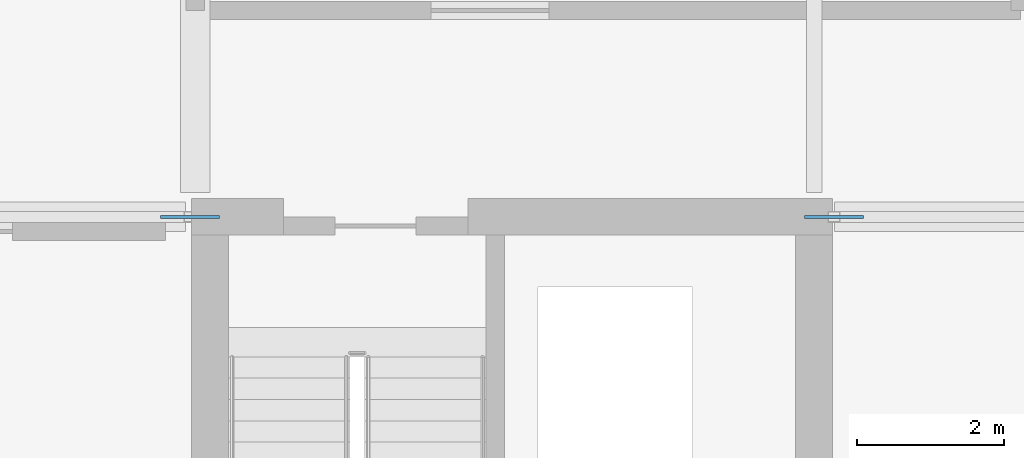
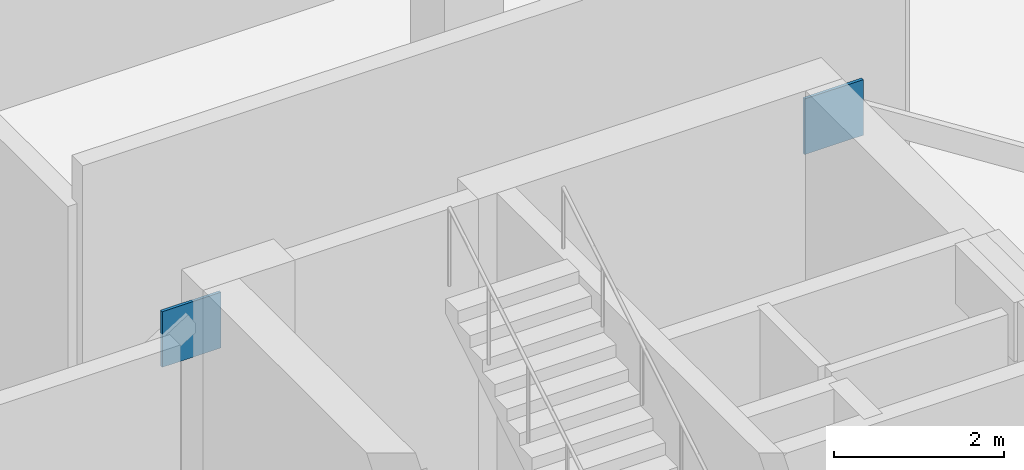
# One storey, part 5 of 14: 2 plates.
"""IFC4 building model written with IfcOpenShell, lengths in metres."""

from ifc_helpers import new_model, si_unit, direction, frame, origin, origin_2d, place, context, subcontext, project, spatial, rectangle, extrude, material, layer, layer_set, type_object, element, save


model = new_model("IFC4")

# Units and contexts
model_context = context("Model", 3, precision=1e-05, world=origin(), true_north=direction((0.0, 1.0)))
body_context = subcontext(model_context, "Body", "Model", "MODEL_VIEW")
ifc_project = project(units=[si_unit("LENGTHUNIT", "METRE"), si_unit("AREAUNIT", "SQUARE_METRE"), si_unit("VOLUMEUNIT", "CUBIC_METRE"), si_unit("PLANEANGLEUNIT", "RADIAN"), si_unit("MASSUNIT", "GRAM", prefix="KILO")], contexts=[model_context])

# Site, building, storey
site_placement = place(None, origin())
site = spatial("IfcSite", under=ifc_project, at=site_placement, CompositionType="ELEMENT")
building_placement = place(site_placement, origin())
building = spatial("IfcBuilding", under=site, at=building_placement, Name="Koriwani Terraces Tower", CompositionType="ELEMENT")
storey_placement = place(building_placement, frame((0.0, 0.0, 294.800048828125)))
storey = spatial("IfcBuildingStorey", under=building, at=storey_placement, Name="L73", CompositionType="ELEMENT", Elevation=294.800048828125)

# Plates
ifc_material = material(Name="Steel ASTM A572 Grade 50", Category="steel")
ifc_layer = layer(ifc_material, 0.0400390625, Name="Steel ASTM A572 Grade 50")
ifc_layer_set = layer_set([ifc_layer], Name="Steel ASTM A572 Grade 50")
plate_type = type_object("IfcPlateType", Name="STEEL_GUSSET_PLATE_40", PredefinedType="USERDEFINED", material=ifc_layer_set)
for number, where, z_axis, x_axis, name in (
    (1, (16.72998046875, 58.800048828125, 4.669921875), (0.0, 0.0, 1.0), (1.0, 0.0, 0.0), "Outrigger truss node gusset plate L73-OW-W2"),
    (2, (25.469970703125, 58.800048828125, 4.669921875), (0.0, 0.0, 1.0), (-1.0, 0.0, 0.0), "Outrigger truss node gusset plate L73-OW-E2"),
):
    element("IfcPlate", number, at=place(storey_placement, frame(where, z_axis=z_axis, x_axis=x_axis)), inside=storey, type_object=plate_type, Name=name, ObjectType="GUSSET_PLATE", PredefinedType="USERDEFINED", context=body_context, shape_type="SweptSolid", body=[
        extrude(rectangle(XDim=0.800048828125, YDim=0.0400390625, at=origin_2d()), origin(), (0.0, 0.0, 1.0), 0.800048828125),
    ])

save(model, "model.ifc")
